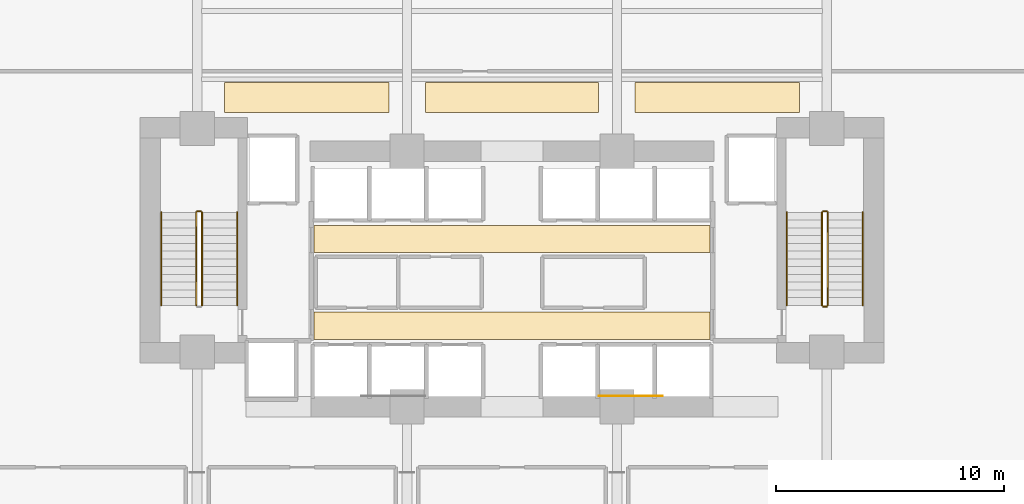
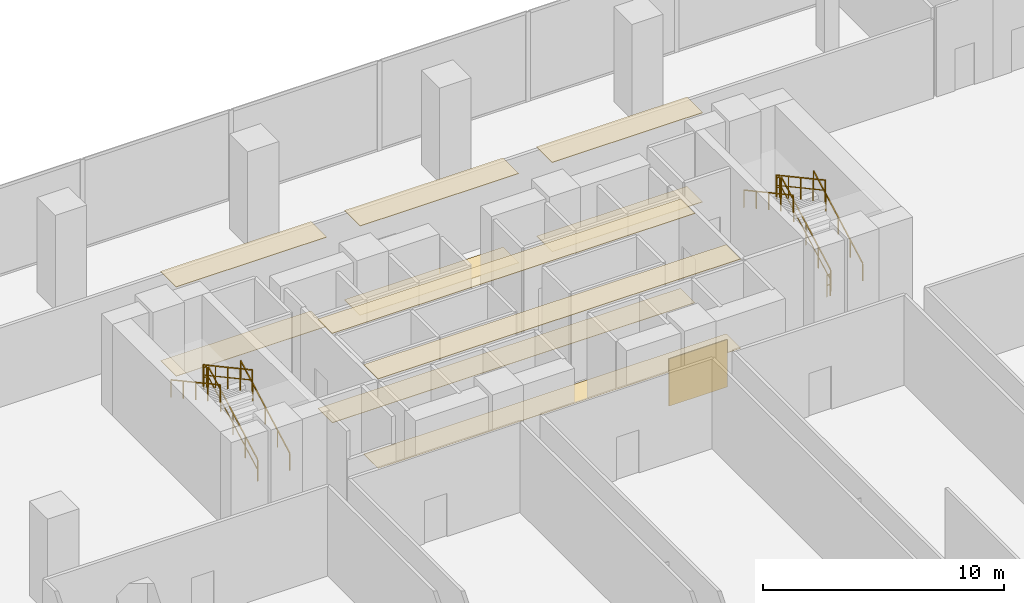
# One storey, part 31 of 33: 11 coverings, 11 railings.
"""IFC4 building model written with IfcOpenShell, lengths in metres."""

from ifc_helpers import new_model, si_unit, direction, frame, origin, origin_2d, place, context, subcontext, project, spatial, polyline, rectangle, outline, extrude, material, layer, layer_set, type_object, element, save


model = new_model("IFC4")

# Units and contexts
model_context = context("Model", 3, precision=1e-05, world=origin(), true_north=direction((0.0, 1.0)))
body_context = subcontext(model_context, "Body", "Model", "MODEL_VIEW")
ifc_project = project(units=[si_unit("LENGTHUNIT", "METRE"), si_unit("AREAUNIT", "SQUARE_METRE"), si_unit("VOLUMEUNIT", "CUBIC_METRE"), si_unit("PLANEANGLEUNIT", "RADIAN"), si_unit("MASSUNIT", "GRAM", prefix="KILO")], contexts=[model_context])

# Site, building, storey
site_placement = place(None, origin())
site = spatial("IfcSite", under=ifc_project, at=site_placement, CompositionType="ELEMENT")
building_placement = place(site_placement, origin())
building = spatial("IfcBuilding", under=site, at=building_placement, Name="Zuhayl Quay Hotel", CompositionType="ELEMENT")
storey_placement = place(building_placement, frame((0.0, 0.0, 18.0)))
storey = spatial("IfcBuildingStorey", under=building, at=storey_placement, Name="L03", CompositionType="ELEMENT", Elevation=18.0)

# Coverings
ifc_material_1 = material(Name="Acoustic Mineral-Fibre Gypsum Board")
ifc_layer_1 = layer(ifc_material_1, 0.02490234375, Name="Acoustic Mineral-Fibre Gypsum Board")
ifc_layer_set_1 = layer_set([ifc_layer_1], Name="Acoustic Mineral-Fibre Gypsum Board")
covering_type_1 = type_object("IfcCoveringType", Name="CV_CEIL_ACOUSTIC", PredefinedType="CEILING", material=ifc_layer_set_1)
covering_1_placement = place(storey_placement, frame((0.0, 0.0, 4.514892578125)))
element("IfcCovering", 1, at=covering_1_placement, inside=storey, type_object=covering_type_1, Name="L03 Suspended Acoustic Lobby Ceiling S", PredefinedType="CEILING", context=body_context, shape_type="SweptSolid", body=[
    extrude(outline(polyline([(-8.679931640625, 5.10009765625), (8.679931640625, 5.10009765625), (8.679931640625, 6.300048828125), (-8.679931640625, 6.300048828125), (-8.679931640625, 5.10009765625)])), origin(), (0.0, 0.0, 1.0), 0.025146484375),
])
covering_2_placement = place(storey_placement, frame((0.0, 0.0, 4.514892578125)))
element("IfcCovering", 2, at=covering_2_placement, inside=storey, type_object=covering_type_1, Name="L03 Suspended Acoustic Lobby Ceiling N", PredefinedType="CEILING", context=body_context, shape_type="SweptSolid", body=[
    extrude(outline(polyline([(-8.679931640625, 8.89990234375), (8.679931640625, 8.89990234375), (8.679931640625, 10.10009765625), (-8.679931640625, 10.10009765625), (-8.679931640625, 8.89990234375)])), origin(), (0.0, 0.0, 1.0), 0.025146484375),
])
covering_3_placement = place(storey_placement, frame((0.0, 0.0, 4.514892578125)))
element("IfcCovering", 3, at=covering_3_placement, inside=storey, type_object=covering_type_1, Name="L03 Guest Corridor Acoustic Ceiling CW", PredefinedType="CEILING", context=body_context, shape_type="SweptSolid", body=[
    extrude(outline(polyline([(-12.60009765625, 15.050048828125), (-5.39990234375, 15.050048828125), (-5.39990234375, 16.35009765625), (-12.60009765625, 16.35009765625), (-12.60009765625, 15.050048828125)])), origin(), (0.0, 0.0, 1.0), 0.025146484375),
])
covering_4_placement = place(storey_placement, frame((0.0, 0.0, 4.514892578125)))
element("IfcCovering", 4, at=covering_4_placement, inside=storey, type_object=covering_type_1, Name="L03 Guest Corridor Acoustic Ceiling CC", PredefinedType="CEILING", context=body_context, shape_type="SweptSolid", body=[
    extrude(outline(polyline([(-3.800048828125, 15.050048828125), (3.800048828125, 15.050048828125), (3.800048828125, 16.35009765625), (-3.800048828125, 16.35009765625), (-3.800048828125, 15.050048828125)])), origin(), (0.0, 0.0, 1.0), 0.025146484375),
])
covering_5_placement = place(storey_placement, frame((0.0, 0.0, 4.514892578125)))
element("IfcCovering", 5, at=covering_5_placement, inside=storey, type_object=covering_type_1, Name="L03 Guest Corridor Acoustic Ceiling CE", PredefinedType="CEILING", context=body_context, shape_type="SweptSolid", body=[
    extrude(outline(polyline([(5.39990234375, 15.050048828125), (12.60009765625, 15.050048828125), (12.60009765625, 16.35009765625), (5.39990234375, 16.35009765625), (5.39990234375, 15.050048828125)])), origin(), (0.0, 0.0, 1.0), 0.025146484375),
])
ifc_material_2 = material(Name="Polished Limestone Terrazzo", Category="masonry")
ifc_layer_2 = layer(ifc_material_2, 0.02001953125, Name="Polished Limestone Terrazzo", Category="masonry")
ifc_layer_set_2 = layer_set([ifc_layer_2], Name="Polished Limestone Terrazzo")
covering_type_2 = type_object("IfcCoveringType", Name="CV_FLOOR_TERRAZZO", PredefinedType="FLOORING", material=ifc_layer_set_2)
covering_6_placement = place(storey_placement, origin())
element("IfcCovering", 6, at=covering_6_placement, inside=storey, type_object=covering_type_2, Name="L03 Honed Limestone Terrazzo Lobby Flooring S", PredefinedType="FLOORING", context=body_context, shape_type="SweptSolid", body=[
    extrude(outline(polyline([(-8.679931640625, 5.10009765625), (8.679931640625, 5.10009765625), (8.679931640625, 6.300048828125), (-8.679931640625, 6.300048828125), (-8.679931640625, 5.10009765625)])), origin(), (0.0, 0.0, 1.0), 0.02001953125),
])
covering_7_placement = place(storey_placement, origin())
element("IfcCovering", 7, at=covering_7_placement, inside=storey, type_object=covering_type_2, Name="L03 Honed Limestone Terrazzo Lobby Flooring N", PredefinedType="FLOORING", context=body_context, shape_type="SweptSolid", body=[
    extrude(outline(polyline([(-8.679931640625, 8.89990234375), (8.679931640625, 8.89990234375), (8.679931640625, 10.10009765625), (-8.679931640625, 10.10009765625), (-8.679931640625, 8.89990234375)])), origin(), (0.0, 0.0, 1.0), 0.02001953125),
])
covering_8_placement = place(storey_placement, origin())
element("IfcCovering", 8, at=covering_8_placement, inside=storey, type_object=covering_type_2, Name="L03 Guest Corridor Terrazzo Runner CW", PredefinedType="FLOORING", context=body_context, shape_type="SweptSolid", body=[
    extrude(outline(polyline([(-12.60009765625, 15.050048828125), (-5.39990234375, 15.050048828125), (-5.39990234375, 16.35009765625), (-12.60009765625, 16.35009765625), (-12.60009765625, 15.050048828125)])), origin(), (0.0, 0.0, 1.0), 0.02001953125),
])
covering_9_placement = place(storey_placement, origin())
element("IfcCovering", 9, at=covering_9_placement, inside=storey, type_object=covering_type_2, Name="L03 Guest Corridor Terrazzo Runner CC", PredefinedType="FLOORING", context=body_context, shape_type="SweptSolid", body=[
    extrude(outline(polyline([(-3.800048828125, 15.050048828125), (3.800048828125, 15.050048828125), (3.800048828125, 16.35009765625), (-3.800048828125, 16.35009765625), (-3.800048828125, 15.050048828125)])), origin(), (0.0, 0.0, 1.0), 0.02001953125),
])
covering_10_placement = place(storey_placement, origin())
element("IfcCovering", 10, at=covering_10_placement, inside=storey, type_object=covering_type_2, Name="L03 Guest Corridor Terrazzo Runner CE", PredefinedType="FLOORING", context=body_context, shape_type="SweptSolid", body=[
    extrude(outline(polyline([(5.39990234375, 15.050048828125), (12.60009765625, 15.050048828125), (12.60009765625, 16.35009765625), (5.39990234375, 16.35009765625), (5.39990234375, 15.050048828125)])), origin(), (0.0, 0.0, 1.0), 0.02001953125),
])
ifc_material_3 = material(Name="Acoustic Walnut Feature Timber", Category="wood")
ifc_layer_3 = layer(ifc_material_3, 0.02197265625, Name="Acoustic Walnut Feature Timber", Category="wood")
ifc_layer_set_3 = layer_set([ifc_layer_3], Name="Acoustic Walnut Feature Timber")
covering_type_3 = type_object("IfcCoveringType", Name="CV_WALL_CLAD", PredefinedType="CLADDING", material=ifc_layer_set_3)
covering_11_placement = place(storey_placement, frame((5.199951171875, 2.611083984375, 0.300048828125), z_axis=(0.0, 0.0, 1.0), x_axis=(1.0, 0.0, 0.0)))
element("IfcCovering", 11, at=covering_11_placement, inside=storey, type_object=covering_type_3, Name="L03 Feature Lobby Walnut Wall Cladding E", PredefinedType="CLADDING", context=body_context, shape_type="SweptSolid", body=[
    extrude(rectangle(XDim=2.800048828125, YDim=0.02197265625, at=origin_2d()), origin(), (0.0, 0.0, 1.0), 2.39990234375),
])

# Railings
ifc_material_4 = material(Name="Steel ASTM A992 Grade 50", Category="steel")
railing_type_1 = type_object("IfcRailingType", Name="RL_GUARD_1100", PredefinedType="GUARDRAIL", material=ifc_material_4)
railing_1_placement = place(storey_placement, frame((-13.590087890625, 6.590087890625, 0.1845703125)))
element("IfcRailing", 12, at=railing_1_placement, inside=storey, type_object=railing_type_1, Name="L03 ST1 stair guard 1", PredefinedType="GUARDRAIL", context=body_context, shape_type="SweptSolid", body=[
    extrude(rectangle(XDim=0.048095703125, YDim=0.048095703125, at=origin_2d()), frame((0.0, 0.0, 1.09619140625), z_axis=(0.0, 0.878802396796, 0.477185862517), x_axis=(-1.0, 0.0, 0.0)), (0.0, 0.0, 1.0), 4.642578125),
    extrude(rectangle(XDim=0.0361328125, YDim=0.0361328125, at=origin_2d()), frame((0.0, 0.0, 0.58251953125), z_axis=(0.0, 0.878802396796, 0.477185862517), x_axis=(-1.0, 0.0, 0.0)), (0.0, 0.0, 1.0), 4.642578125),
    extrude(rectangle(XDim=0.0419921875, YDim=0.0419921875, at=origin_2d()), origin(), (0.0, 0.0, 1.0), 1.072021484375),
    extrude(rectangle(XDim=0.0419921875, YDim=0.0419921875, at=origin_2d()), frame((0.0, 1.02001953125, 0.5537109375)), (0.0, 0.0, 1.0), 1.072021484375),
    extrude(rectangle(XDim=0.0419921875, YDim=0.0419921875, at=origin_2d()), frame((0.0, 2.0400390625, 1.107666015625)), (0.0, 0.0, 1.0), 1.072021484375),
    extrude(rectangle(XDim=0.0419921875, YDim=0.0419921875, at=origin_2d()), frame((0.0, 3.059814453125, 1.66162109375)), (0.0, 0.0, 1.0), 1.072021484375),
    extrude(rectangle(XDim=0.0419921875, YDim=0.0419921875, at=origin_2d()), frame((0.0, 4.079833984375, 2.21533203125)), (0.0, 0.0, 1.0), 1.072021484375),
])
railing_2_placement = place(storey_placement, frame((-13.639892578125, 10.719970703125, 2.39990234375)))
element("IfcRailing", 13, at=railing_2_placement, inside=storey, type_object=railing_type_1, Name="L03 ST1 stair guard 2", PredefinedType="GUARDRAIL", context=body_context, shape_type="SweptSolid", body=[
    extrude(rectangle(XDim=0.048095703125, YDim=0.048095703125, at=origin_2d()), frame((0.0, 0.0, 1.09619140625), z_axis=(-1.0, 0.0, 0.0), x_axis=(0.0, -1.0, 0.0)), (0.0, 0.0, 1.0), 0.150146484375),
    extrude(rectangle(XDim=0.0361328125, YDim=0.0361328125, at=origin_2d()), frame((0.0, 0.0, 0.58251953125), z_axis=(-1.0, 0.0, 0.0), x_axis=(0.0, -1.0, 0.0)), (0.0, 0.0, 1.0), 0.150146484375),
    extrude(rectangle(XDim=0.0419921875, YDim=0.0419921875, at=origin_2d()), origin(), (0.0, 0.0, 1.0), 1.072021484375),
    extrude(rectangle(XDim=0.0419921875, YDim=0.0419921875, at=origin_2d()), frame((-0.150146484375, 0.0, 0.0)), (0.0, 0.0, 1.0), 1.072021484375),
])
railing_3_placement = place(storey_placement, frame((-13.840087890625, 10.669921875, 2.584716796875)))
element("IfcRailing", 14, at=railing_3_placement, inside=storey, type_object=railing_type_1, Name="L03 ST1 stair guard 3", PredefinedType="GUARDRAIL", context=body_context, shape_type="SweptSolid", body=[
    extrude(rectangle(XDim=0.048095703125, YDim=0.048095703125, at=origin_2d()), frame((0.0, 0.0, 1.09619140625), z_axis=(0.0, -0.878802396796, 0.477185862517), x_axis=(1.0, 0.0, 0.0)), (0.0, 0.0, 1.0), 4.642578125),
    extrude(rectangle(XDim=0.0361328125, YDim=0.0361328125, at=origin_2d()), frame((0.0, 0.0, 0.58251953125), z_axis=(0.0, -0.878802396796, 0.477185862517), x_axis=(1.0, 0.0, 0.0)), (0.0, 0.0, 1.0), 4.642578125),
    extrude(rectangle(XDim=0.0419921875, YDim=0.0419921875, at=origin_2d()), origin(), (0.0, 0.0, 1.0), 1.072021484375),
    extrude(rectangle(XDim=0.0419921875, YDim=0.0419921875, at=origin_2d()), frame((0.0, -1.02001953125, 0.5537109375)), (0.0, 0.0, 1.0), 1.072021484375),
    extrude(rectangle(XDim=0.0419921875, YDim=0.0419921875, at=origin_2d()), frame((0.0, -2.0400390625, 1.107666015625)), (0.0, 0.0, 1.0), 1.072021484375),
    extrude(rectangle(XDim=0.0419921875, YDim=0.0419921875, at=origin_2d()), frame((0.0, -3.059814453125, 1.66162109375)), (0.0, 0.0, 1.0), 1.072021484375),
    extrude(rectangle(XDim=0.0419921875, YDim=0.0419921875, at=origin_2d()), frame((0.0, -4.079833984375, 2.21533203125)), (0.0, 0.0, 1.0), 1.072021484375),
])
railing_4_placement = place(storey_placement, frame((13.840087890625, 6.590087890625, 0.1845703125)))
element("IfcRailing", 15, at=railing_4_placement, inside=storey, type_object=railing_type_1, Name="L03 ST2 stair guard 1", PredefinedType="GUARDRAIL", context=body_context, shape_type="SweptSolid", body=[
    extrude(rectangle(XDim=0.048095703125, YDim=0.048095703125, at=origin_2d()), frame((0.0, 0.0, 1.09619140625), z_axis=(0.0, 0.878802396796, 0.477185862517), x_axis=(-1.0, 0.0, 0.0)), (0.0, 0.0, 1.0), 4.642578125),
    extrude(rectangle(XDim=0.0361328125, YDim=0.0361328125, at=origin_2d()), frame((0.0, 0.0, 0.58251953125), z_axis=(0.0, 0.878802396796, 0.477185862517), x_axis=(-1.0, 0.0, 0.0)), (0.0, 0.0, 1.0), 4.642578125),
    extrude(rectangle(XDim=0.0419921875, YDim=0.0419921875, at=origin_2d()), origin(), (0.0, 0.0, 1.0), 1.072021484375),
    extrude(rectangle(XDim=0.0419921875, YDim=0.0419921875, at=origin_2d()), frame((0.0, 1.02001953125, 0.5537109375)), (0.0, 0.0, 1.0), 1.072021484375),
    extrude(rectangle(XDim=0.0419921875, YDim=0.0419921875, at=origin_2d()), frame((0.0, 2.0400390625, 1.107666015625)), (0.0, 0.0, 1.0), 1.072021484375),
    extrude(rectangle(XDim=0.0419921875, YDim=0.0419921875, at=origin_2d()), frame((0.0, 3.059814453125, 1.66162109375)), (0.0, 0.0, 1.0), 1.072021484375),
    extrude(rectangle(XDim=0.0419921875, YDim=0.0419921875, at=origin_2d()), frame((0.0, 4.079833984375, 2.21533203125)), (0.0, 0.0, 1.0), 1.072021484375),
])
railing_5_placement = place(storey_placement, frame((13.7900390625, 10.719970703125, 2.39990234375)))
element("IfcRailing", 16, at=railing_5_placement, inside=storey, type_object=railing_type_1, Name="L03 ST2 stair guard 2", PredefinedType="GUARDRAIL", context=body_context, shape_type="SweptSolid", body=[
    extrude(rectangle(XDim=0.048095703125, YDim=0.048095703125, at=origin_2d()), frame((0.0, 0.0, 1.09619140625), z_axis=(-1.0, 0.0, 0.0), x_axis=(0.0, -1.0, 0.0)), (0.0, 0.0, 1.0), 0.150146484375),
    extrude(rectangle(XDim=0.0361328125, YDim=0.0361328125, at=origin_2d()), frame((0.0, 0.0, 0.58251953125), z_axis=(-1.0, 0.0, 0.0), x_axis=(0.0, -1.0, 0.0)), (0.0, 0.0, 1.0), 0.150146484375),
    extrude(rectangle(XDim=0.0419921875, YDim=0.0419921875, at=origin_2d()), origin(), (0.0, 0.0, 1.0), 1.072021484375),
    extrude(rectangle(XDim=0.0419921875, YDim=0.0419921875, at=origin_2d()), frame((-0.150146484375, 0.0, 0.0)), (0.0, 0.0, 1.0), 1.072021484375),
])
railing_6_placement = place(storey_placement, frame((13.590087890625, 10.669921875, 2.584716796875)))
element("IfcRailing", 17, at=railing_6_placement, inside=storey, type_object=railing_type_1, Name="L03 ST2 stair guard 3", PredefinedType="GUARDRAIL", context=body_context, shape_type="SweptSolid", body=[
    extrude(rectangle(XDim=0.048095703125, YDim=0.048095703125, at=origin_2d()), frame((0.0, 0.0, 1.09619140625), z_axis=(0.0, -0.878802396796, 0.477185862517), x_axis=(1.0, 0.0, 0.0)), (0.0, 0.0, 1.0), 4.642578125),
    extrude(rectangle(XDim=0.0361328125, YDim=0.0361328125, at=origin_2d()), frame((0.0, 0.0, 0.58251953125), z_axis=(0.0, -0.878802396796, 0.477185862517), x_axis=(1.0, 0.0, 0.0)), (0.0, 0.0, 1.0), 4.642578125),
    extrude(rectangle(XDim=0.0419921875, YDim=0.0419921875, at=origin_2d()), origin(), (0.0, 0.0, 1.0), 1.072021484375),
    extrude(rectangle(XDim=0.0419921875, YDim=0.0419921875, at=origin_2d()), frame((0.0, -1.02001953125, 0.5537109375)), (0.0, 0.0, 1.0), 1.072021484375),
    extrude(rectangle(XDim=0.0419921875, YDim=0.0419921875, at=origin_2d()), frame((0.0, -2.0400390625, 1.107666015625)), (0.0, 0.0, 1.0), 1.072021484375),
    extrude(rectangle(XDim=0.0419921875, YDim=0.0419921875, at=origin_2d()), frame((0.0, -3.059814453125, 1.66162109375)), (0.0, 0.0, 1.0), 1.072021484375),
    extrude(rectangle(XDim=0.0419921875, YDim=0.0419921875, at=origin_2d()), frame((0.0, -4.079833984375, 2.21533203125)), (0.0, 0.0, 1.0), 1.072021484375),
])
railing_7_placement = place(storey_placement, frame((13.7900390625, 6.5400390625, 0.0)))
element("IfcRailing", 18, at=railing_7_placement, inside=storey, type_object=railing_type_1, Name="L03 ST2 stair guard 4", PredefinedType="GUARDRAIL", context=body_context, shape_type="SweptSolid", body=[
    extrude(rectangle(XDim=0.048095703125, YDim=0.048095703125, at=origin_2d()), frame((0.0, 0.0, 1.09619140625), z_axis=(-1.0, 0.0, 0.0), x_axis=(0.0, -1.0, 0.0)), (0.0, 0.0, 1.0), 0.150146484375),
    extrude(rectangle(XDim=0.0361328125, YDim=0.0361328125, at=origin_2d()), frame((0.0, 0.0, 0.58251953125), z_axis=(-1.0, 0.0, 0.0), x_axis=(0.0, -1.0, 0.0)), (0.0, 0.0, 1.0), 0.150146484375),
    extrude(rectangle(XDim=0.0419921875, YDim=0.0419921875, at=origin_2d()), origin(), (0.0, 0.0, 1.0), 1.072021484375),
    extrude(rectangle(XDim=0.0419921875, YDim=0.0419921875, at=origin_2d()), frame((-0.150146484375, 0.0, 0.0)), (0.0, 0.0, 1.0), 1.072021484375),
])
railing_type_2 = type_object("IfcRailingType", Name="RL_HANDRAIL_920", PredefinedType="HANDRAIL", material=ifc_material_4)
railing_8_placement = place(storey_placement, frame((-12.050048828125, 6.590087890625, 0.1845703125)))
element("IfcRailing", 19, at=railing_8_placement, inside=storey, type_object=railing_type_2, Name="L03 ST1 stair handrail 1", PredefinedType="HANDRAIL", context=body_context, shape_type="SweptSolid", body=[
    extrude(rectangle(XDim=0.048095703125, YDim=0.048095703125, at=origin_2d()), frame((0.0, 0.0, 0.8759765625), z_axis=(0.0, 0.878802396796, 0.477185862517), x_axis=(-1.0, 0.0, 0.0)), (0.0, 0.0, 1.0), 4.642578125),
    extrude(rectangle(XDim=0.0419921875, YDim=0.0419921875, at=origin_2d()), origin(), (0.0, 0.0, 1.0), 0.851806640625),
    extrude(rectangle(XDim=0.0419921875, YDim=0.0419921875, at=origin_2d()), frame((0.0, 1.02001953125, 0.5537109375)), (0.0, 0.0, 1.0), 0.851806640625),
    extrude(rectangle(XDim=0.0419921875, YDim=0.0419921875, at=origin_2d()), frame((0.0, 2.0400390625, 1.107666015625)), (0.0, 0.0, 1.0), 0.851806640625),
    extrude(rectangle(XDim=0.0419921875, YDim=0.0419921875, at=origin_2d()), frame((0.0, 3.059814453125, 1.66162109375)), (0.0, 0.0, 1.0), 0.851806640625),
    extrude(rectangle(XDim=0.0419921875, YDim=0.0419921875, at=origin_2d()), frame((0.0, 4.079833984375, 2.21533203125)), (0.0, 0.0, 1.0), 0.851806640625),
])
railing_9_placement = place(storey_placement, frame((-15.3798828125, 10.669921875, 2.584716796875)))
element("IfcRailing", 20, at=railing_9_placement, inside=storey, type_object=railing_type_2, Name="L03 ST1 stair handrail 2", PredefinedType="HANDRAIL", context=body_context, shape_type="SweptSolid", body=[
    extrude(rectangle(XDim=0.048095703125, YDim=0.048095703125, at=origin_2d()), frame((0.0, 0.0, 0.8759765625), z_axis=(0.0, -0.878802396796, 0.477185862517), x_axis=(1.0, 0.0, 0.0)), (0.0, 0.0, 1.0), 4.642578125),
    extrude(rectangle(XDim=0.0419921875, YDim=0.0419921875, at=origin_2d()), origin(), (0.0, 0.0, 1.0), 0.851806640625),
    extrude(rectangle(XDim=0.0419921875, YDim=0.0419921875, at=origin_2d()), frame((0.0, -1.02001953125, 0.5537109375)), (0.0, 0.0, 1.0), 0.851806640625),
    extrude(rectangle(XDim=0.0419921875, YDim=0.0419921875, at=origin_2d()), frame((0.0, -2.0400390625, 1.107666015625)), (0.0, 0.0, 1.0), 0.851806640625),
    extrude(rectangle(XDim=0.0419921875, YDim=0.0419921875, at=origin_2d()), frame((0.0, -3.059814453125, 1.66162109375)), (0.0, 0.0, 1.0), 0.851806640625),
    extrude(rectangle(XDim=0.0419921875, YDim=0.0419921875, at=origin_2d()), frame((0.0, -4.079833984375, 2.21533203125)), (0.0, 0.0, 1.0), 0.851806640625),
])
railing_10_placement = place(storey_placement, frame((15.3798828125, 6.590087890625, 0.1845703125)))
element("IfcRailing", 21, at=railing_10_placement, inside=storey, type_object=railing_type_2, Name="L03 ST2 stair handrail 1", PredefinedType="HANDRAIL", context=body_context, shape_type="SweptSolid", body=[
    extrude(rectangle(XDim=0.048095703125, YDim=0.048095703125, at=origin_2d()), frame((0.0, 0.0, 0.8759765625), z_axis=(0.0, 0.878802396796, 0.477185862517), x_axis=(-1.0, 0.0, 0.0)), (0.0, 0.0, 1.0), 4.642578125),
    extrude(rectangle(XDim=0.0419921875, YDim=0.0419921875, at=origin_2d()), origin(), (0.0, 0.0, 1.0), 0.851806640625),
    extrude(rectangle(XDim=0.0419921875, YDim=0.0419921875, at=origin_2d()), frame((0.0, 1.02001953125, 0.5537109375)), (0.0, 0.0, 1.0), 0.851806640625),
    extrude(rectangle(XDim=0.0419921875, YDim=0.0419921875, at=origin_2d()), frame((0.0, 2.0400390625, 1.107666015625)), (0.0, 0.0, 1.0), 0.851806640625),
    extrude(rectangle(XDim=0.0419921875, YDim=0.0419921875, at=origin_2d()), frame((0.0, 3.059814453125, 1.66162109375)), (0.0, 0.0, 1.0), 0.851806640625),
    extrude(rectangle(XDim=0.0419921875, YDim=0.0419921875, at=origin_2d()), frame((0.0, 4.079833984375, 2.21533203125)), (0.0, 0.0, 1.0), 0.851806640625),
])
railing_11_placement = place(storey_placement, frame((12.050048828125, 10.669921875, 2.584716796875)))
element("IfcRailing", 22, at=railing_11_placement, inside=storey, type_object=railing_type_2, Name="L03 ST2 stair handrail 2", PredefinedType="HANDRAIL", context=body_context, shape_type="SweptSolid", body=[
    extrude(rectangle(XDim=0.048095703125, YDim=0.048095703125, at=origin_2d()), frame((0.0, 0.0, 0.8759765625), z_axis=(0.0, -0.878802396796, 0.477185862517), x_axis=(1.0, 0.0, 0.0)), (0.0, 0.0, 1.0), 4.642578125),
    extrude(rectangle(XDim=0.0419921875, YDim=0.0419921875, at=origin_2d()), origin(), (0.0, 0.0, 1.0), 0.851806640625),
    extrude(rectangle(XDim=0.0419921875, YDim=0.0419921875, at=origin_2d()), frame((0.0, -1.02001953125, 0.5537109375)), (0.0, 0.0, 1.0), 0.851806640625),
    extrude(rectangle(XDim=0.0419921875, YDim=0.0419921875, at=origin_2d()), frame((0.0, -2.0400390625, 1.107666015625)), (0.0, 0.0, 1.0), 0.851806640625),
    extrude(rectangle(XDim=0.0419921875, YDim=0.0419921875, at=origin_2d()), frame((0.0, -3.059814453125, 1.66162109375)), (0.0, 0.0, 1.0), 0.851806640625),
    extrude(rectangle(XDim=0.0419921875, YDim=0.0419921875, at=origin_2d()), frame((0.0, -4.079833984375, 2.21533203125)), (0.0, 0.0, 1.0), 0.851806640625),
])

save(model, "model.ifc")
